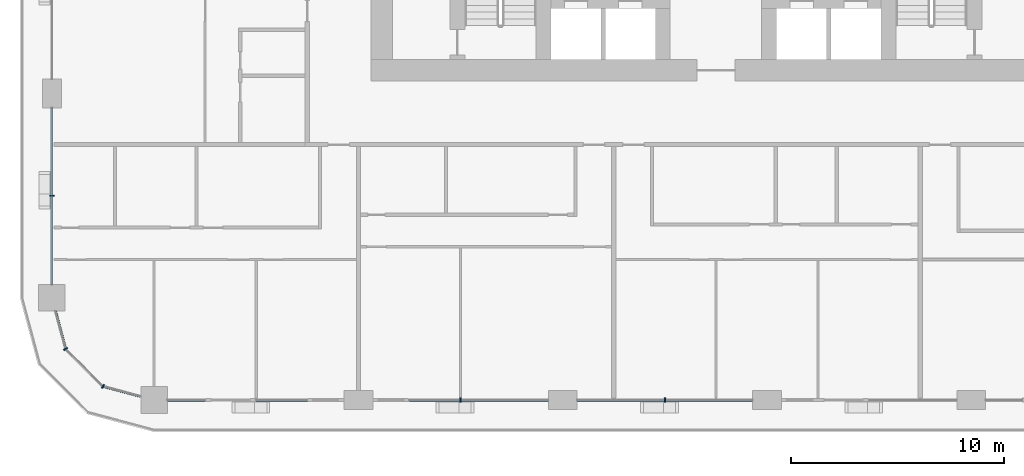
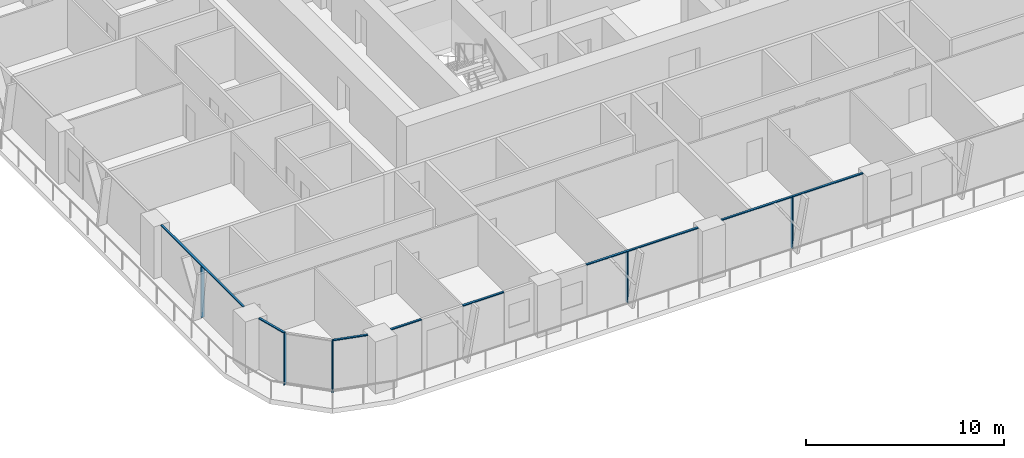
# One storey, part 2 of 21: 12 members, 5 elements without a shape of their own.
"""IFC4 building model written with IfcOpenShell, lengths in metres."""

from ifc_helpers import new_model, si_unit, direction, frame, origin, origin_2d, place, context, subcontext, project, spatial, rectangle, extrude, material, layer, layer_set, material_profile, profile_set, type_object, element, aggregate, save


model = new_model("IFC4")

# Units and contexts
model_context = context("Model", 3, precision=1e-05, world=origin(), true_north=direction((0.0, 1.0)))
body_context = subcontext(model_context, "Body", "Model", "MODEL_VIEW")
ifc_project = project(units=[si_unit("LENGTHUNIT", "METRE"), si_unit("AREAUNIT", "SQUARE_METRE"), si_unit("VOLUMEUNIT", "CUBIC_METRE"), si_unit("PLANEANGLEUNIT", "RADIAN"), si_unit("MASSUNIT", "GRAM", prefix="KILO")], contexts=[model_context])

# Site, building, storey
site_placement = place(None, origin())
site = spatial("IfcSite", under=ifc_project, at=site_placement, CompositionType="ELEMENT")
building_placement = place(site_placement, origin())
building = spatial("IfcBuilding", under=site, at=building_placement, Name="Madar Terraces", CompositionType="ELEMENT")
storey_placement = place(building_placement, frame((0.0, 0.0, 43.39990234375)))
storey = spatial("IfcBuildingStorey", under=building, at=storey_placement, Name="L10", CompositionType="ELEMENT", Elevation=43.39990234375)

# Curtain wall, member
ifc_material_1 = material(Name="Glass, ceramic frit dark grey, with black aluminium frame", Category="aluminium")
ifc_layer = layer(ifc_material_1, 0.199951171875)
ifc_layer_set = layer_set([ifc_layer], Name="Facade curtain wall, fritted glass")
curtain_wall_type = type_object("IfcCurtainWallType", Name="Facade curtain wall, fritted glass", PredefinedType="NOTDEFINED", material=ifc_layer_set)
curtain_wall_1_placement = place(storey_placement, origin())
curtain_wall_1 = element("IfcCurtainWall", 1, at=curtain_wall_1_placement, inside=storey, type_object=curtain_wall_type, Name="Outer skin curtain wall south bay 2", PredefinedType="NOTDEFINED")
ifc_material_2 = material(Name="Aluminium, black anodised", Category="aluminium")
ifc_material_profile_1 = material_profile(ifc_material_2, rectangle(XDim=0.199951171875, YDim=0.06005859375, at=origin_2d()), Name="Facade mullion 60x200")
ifc_profile_set_1 = profile_set([ifc_material_profile_1], Name="Aluminium, black anodised")
member_type_1 = type_object("IfcMemberType", Name="Facade mullion 60x200", PredefinedType="MULLION", material=ifc_profile_set_1)
member_1_placement = place(storey_placement, frame((19.199951171875, 0.0, 0.0), z_axis=(0.0, 0.0, 1.0), x_axis=(0.0, 1.0, 0.0)))
member_1 = element("IfcMember", 2, at=member_1_placement, type_object=member_type_1, Name="Mullion 1", PredefinedType="MULLION", context=body_context, shape_type="SweptSolid", body=[
    extrude(rectangle(XDim=0.199951171875, YDim=0.06005859375, at=origin_2d()), origin(), (0.0, 0.0, 1.0), 3.14013671875),
])

curtain_wall_2_placement = place(storey_placement, origin())
curtain_wall_2 = element("IfcCurtainWall", 3, at=curtain_wall_2_placement, inside=storey, type_object=curtain_wall_type, Name="Outer skin curtain wall south bay 3", PredefinedType="NOTDEFINED")
member_2_placement = place(storey_placement, frame((28.800048828125, 0.0, 0.0), z_axis=(0.0, 0.0, 1.0), x_axis=(0.0, 1.0, 0.0)))
member_2 = element("IfcMember", 4, at=member_2_placement, type_object=member_type_1, Name="Mullion 1", PredefinedType="MULLION", context=body_context, shape_type="SweptSolid", body=[
    extrude(rectangle(XDim=0.199951171875, YDim=0.06005859375, at=origin_2d()), origin(), (0.0, 0.0, 1.0), 3.14013671875),
])

curtain_wall_3_placement = place(storey_placement, origin())
curtain_wall_3 = element("IfcCurtainWall", 5, at=curtain_wall_3_placement, inside=storey, type_object=curtain_wall_type, Name="Outer skin curtain wall west bay 4", PredefinedType="NOTDEFINED")
member_3_placement = place(storey_placement, frame((0.0, 9.60009765625, 0.0), z_axis=(0.0, 0.0, 1.0), x_axis=(1.0, 0.0, 0.0)))
member_3 = element("IfcMember", 6, at=member_3_placement, type_object=member_type_1, Name="Mullion 1", PredefinedType="MULLION", context=body_context, shape_type="SweptSolid", body=[
    extrude(rectangle(XDim=0.199951171875, YDim=0.06005859375, at=origin_2d()), origin(), (0.0, 0.0, 1.0), 3.14013671875),
])

# Curtain wall, members
curtain_wall_4_placement = place(storey_placement, origin())
curtain_wall_4 = element("IfcCurtainWall", 7, at=curtain_wall_4_placement, inside=storey, type_object=curtain_wall_type, Name="Outer skin curtain wall south-west corner", PredefinedType="NOTDEFINED")
member_4_placement = place(storey_placement, frame((0.64306640625, 2.39990234375, 0.0), z_axis=(0.0, 0.0, 1.0), x_axis=(0.866025409797, 0.499999989586, 0.0)))
member_4 = element("IfcMember", 8, at=member_4_placement, type_object=member_type_1, Name="Mullion 1", PredefinedType="MULLION", context=body_context, shape_type="SweptSolid", body=[
    extrude(rectangle(XDim=0.199951171875, YDim=0.06005859375, at=origin_2d()), origin(), (0.0, 0.0, 1.0), 3.14013671875),
])
member_5_placement = place(storey_placement, frame((2.39990234375, 0.64306640625, 0.0), z_axis=(0.0, 0.0, 1.0), x_axis=(0.499999989586, 0.866025409797, 0.0)))
member_5 = element("IfcMember", 9, at=member_5_placement, type_object=member_type_1, Name="Mullion 2", PredefinedType="MULLION", context=body_context, shape_type="SweptSolid", body=[
    extrude(rectangle(XDim=0.199951171875, YDim=0.06005859375, at=origin_2d()), origin(), (0.0, 0.0, 1.0), 3.14013671875),
])

curtain_wall_5_placement = place(storey_placement, origin())
curtain_wall_5 = element("IfcCurtainWall", 10, at=curtain_wall_5_placement, inside=storey, type_object=curtain_wall_type, Name="Outer skin curtain wall south bay 1", PredefinedType="NOTDEFINED")
ifc_material_3 = material(Name="Aluminium, black anodised", Category="aluminium")
ifc_material_profile_2 = material_profile(ifc_material_3, rectangle(XDim=0.1201171875, YDim=0.06005859375, at=origin_2d()), Name="Facade transom 60x120")
ifc_profile_set_2 = profile_set([ifc_material_profile_2], Name="Aluminium, black anodised")
member_type_2 = type_object("IfcMemberType", Name="Facade transom 60x120", PredefinedType="USERDEFINED", material=ifc_profile_set_2)
member_6_placement = place(storey_placement, frame((5.425048828125, 0.0, 3.170166015625), z_axis=(1.0, 0.0, 0.0), x_axis=(0.0, 1.0, 0.0)))
member_6 = element("IfcMember", 11, at=member_6_placement, type_object=member_type_2, Name="Transom 1", ObjectType="TRANSOM", PredefinedType="USERDEFINED", context=body_context, shape_type="SweptSolid", body=[
    extrude(rectangle(XDim=0.1201171875, YDim=0.06005859375, at=origin_2d()), origin(), (0.0, 0.0, 1.0), 1.77490234375),
])
member_7_placement = place(storey_placement, frame((9.60009765625, 0.0, 3.170166015625), z_axis=(1.0, 0.0, 0.0), x_axis=(0.0, 1.0, 0.0)))
member_7 = element("IfcMember", 12, at=member_7_placement, type_object=member_type_2, Name="Transom 2", ObjectType="TRANSOM", PredefinedType="USERDEFINED", context=body_context, shape_type="SweptSolid", body=[
    extrude(rectangle(XDim=0.1201171875, YDim=0.06005859375, at=origin_2d()), origin(), (0.0, 0.0, 1.0), 2.39990234375),
])
aggregate(curtain_wall_5, [member_6, member_7])

# Member
member_8_placement = place(storey_placement, frame((16.800048828125, 0.0, 3.170166015625), z_axis=(1.0, 0.0, 0.0), x_axis=(0.0, 1.0, 0.0)))
member_8 = element("IfcMember", 13, at=member_8_placement, type_object=member_type_2, Name="Transom 1", ObjectType="TRANSOM", PredefinedType="USERDEFINED", context=body_context, shape_type="SweptSolid", body=[
    extrude(rectangle(XDim=0.1201171875, YDim=0.06005859375, at=origin_2d()), origin(), (0.0, 0.0, 1.0), 6.52490234375),
])

aggregate(curtain_wall_1, [member_1, member_8])

member_9_placement = place(storey_placement, frame((24.675048828125, 0.0, 3.170166015625), z_axis=(1.0, 0.0, 0.0), x_axis=(0.0, 1.0, 0.0)))
member_9 = element("IfcMember", 14, at=member_9_placement, type_object=member_type_2, Name="Transom 1", ObjectType="TRANSOM", PredefinedType="USERDEFINED", context=body_context, shape_type="SweptSolid", body=[
    extrude(rectangle(XDim=0.1201171875, YDim=0.06005859375, at=origin_2d()), origin(), (0.0, 0.0, 1.0), 8.25),
])

aggregate(curtain_wall_2, [member_2, member_9])

member_10_placement = place(storey_placement, frame((0.0, 13.72509765625, 3.170166015625), z_axis=(0.0, -1.0, 0.0), x_axis=(1.0, 0.0, 0.0)))
member_10 = element("IfcMember", 15, at=member_10_placement, type_object=member_type_2, Name="Transom 1", ObjectType="TRANSOM", PredefinedType="USERDEFINED", context=body_context, shape_type="SweptSolid", body=[
    extrude(rectangle(XDim=0.1201171875, YDim=0.06005859375, at=origin_2d()), origin(), (0.0, 0.0, 1.0), 8.300048828125),
])

aggregate(curtain_wall_3, [member_3, member_10])

member_11_placement = place(storey_placement, frame((0.16748046875, 4.175048828125, 3.170166015625), z_axis=(0.258772089929, -0.965938406667, 0.0), x_axis=(0.965938406667, 0.258772089929, 0.0)))
member_11 = element("IfcMember", 16, at=member_11_placement, type_object=member_type_2, Name="Transom 1", ObjectType="TRANSOM", PredefinedType="USERDEFINED", context=body_context, shape_type="SweptSolid", body=[
    extrude(rectangle(XDim=0.1201171875, YDim=0.06005859375, at=origin_2d()), origin(), (0.0, 0.0, 1.0), 1.8076171875),
])

member_12_placement = place(storey_placement, frame((2.428955078125, 0.63525390625, 3.170166015625), z_axis=(0.965938406667, -0.258772089929, 0.0), x_axis=(0.258772089929, 0.965938406667, 0.0)))
member_12 = element("IfcMember", 17, at=member_12_placement, type_object=member_type_2, Name="Transom 3", ObjectType="TRANSOM", PredefinedType="USERDEFINED", context=body_context, shape_type="SweptSolid", body=[
    extrude(rectangle(XDim=0.1201171875, YDim=0.06005859375, at=origin_2d()), origin(), (0.0, 0.0, 1.0), 1.8076171875),
])

aggregate(curtain_wall_4, [member_4, member_11, member_5, member_12])

save(model, "model.ifc")
